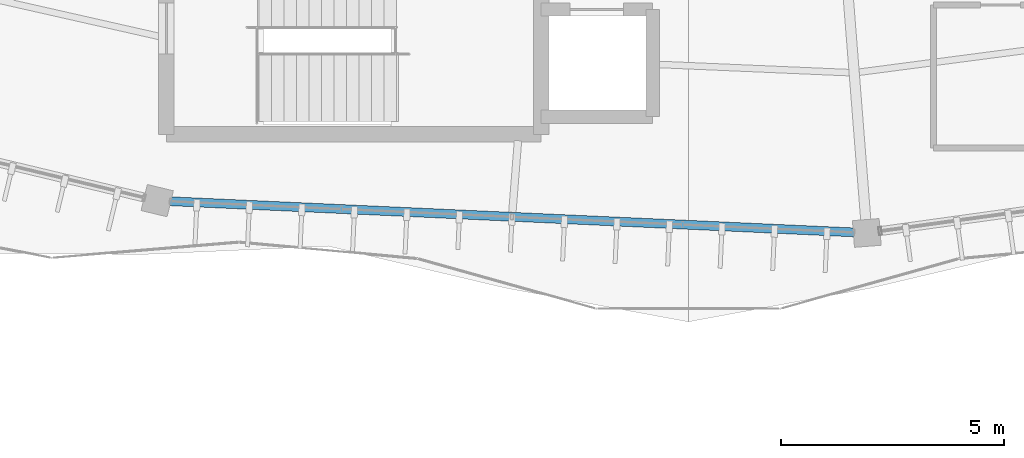
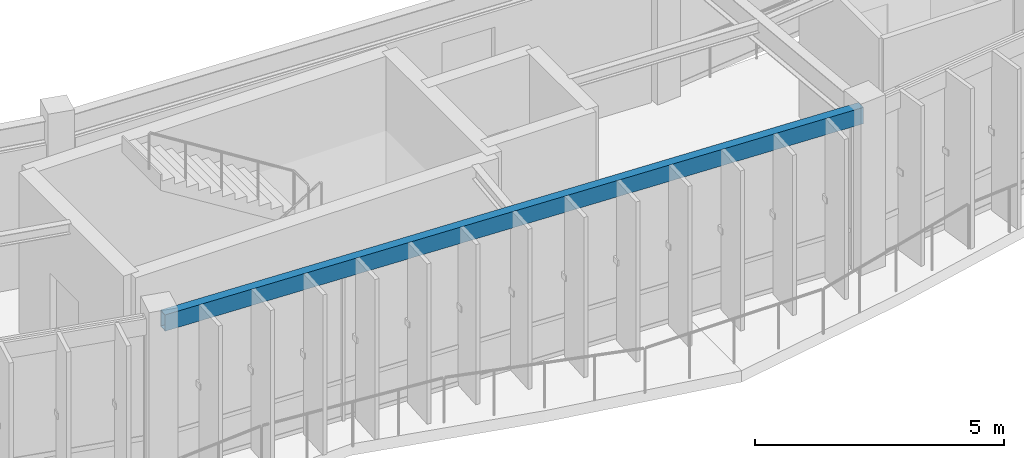
# One storey, part 9 of 83: 1 beam.
"""IFC4 building model written with IfcOpenShell, lengths in metres."""

import ifcopenshell
import ifcopenshell.guid

model = None  # the IFC model being written
_history = None  # IfcOwnerHistory: only IFC2X3 demands one
_inside = {}  # id of a spatial element -> (the spatial element, [elements in it])
_under = {}  # id of a project, library or spatial element -> (it, [spatial elements below it])
_declared = {}  # id of a project -> (the project, [libraries it declares])
_typed = {}  # id of a type object -> (the type object, [elements of that type])
_made_of = {}  # id of a material, layer set ... -> (it, [elements and type objects made of it])


def new_model(schema):
    """Start an empty IFC model of exactly this schema.

    Asked for "IFC4X3", IfcOpenShell would pick the latest addendum, in which some entities
    have other attributes; the version numbers below select the first issue.
    IFC2X3 requires an IfcOwnerHistory on every rooted entity: one is made here for all.
    """
    global model, _history
    if schema == "IFC4X3":
        model = ifcopenshell.file(schema_version=(4, 3, 0, 0))
    else:
        model = ifcopenshell.file(schema=schema)
    _inside.clear()
    _under.clear()
    _declared.clear()
    _typed.clear()
    _made_of.clear()
    _history = None
    if model.schema == "IFC2X3":
        org = make("IfcOrganization", Name="unknown")
        user = make(
            "IfcPersonAndOrganization",
            ThePerson=make("IfcPerson", FamilyName="unknown"),
            TheOrganization=org,
        )
        app = make(
            "IfcApplication",
            ApplicationDeveloper=org,
            Version="unknown",
            ApplicationFullName="unknown",
            ApplicationIdentifier="unknown",
        )
        _history = make(
            "IfcOwnerHistory",
            OwningUser=user,
            OwningApplication=app,
            ChangeAction="ADDED",
            CreationDate=0,
        )
    return model


def make(cls, **values):
    """One entity of the class cls with the attributes given. An attribute that is None is left unset."""
    return model.create_entity(
        cls, **{name: value for name, value in values.items() if value is not None}
    )


def rooted(cls, **values):
    """An entity with a GlobalId (a new one), such as an element, a storey or a relation."""
    return make(cls, GlobalId=ifcopenshell.guid.new(), OwnerHistory=_history, **values)


def si_unit(unit_type, name, prefix=None):
    """IfcSIUnit, for example si_unit("LENGTHUNIT", "METRE", prefix="MILLI")."""
    return make("IfcSIUnit", UnitType=unit_type, Prefix=prefix, Name=name)


def assignment(units):
    """IfcUnitAssignment: the units of a project."""
    return None if units is None else make("IfcUnitAssignment", Units=units)


def point(xyz):
    """IfcCartesianPoint."""
    return None if xyz is None else make("IfcCartesianPoint", Coordinates=xyz)


def direction(xyz):
    """IfcDirection."""
    return None if xyz is None else make("IfcDirection", DirectionRatios=xyz)


def frame(location, z_axis=None, x_axis=None):
    """IfcAxis2Placement3D, a coordinate frame: its origin and axes. An axis left out is left unset."""
    return make(
        "IfcAxis2Placement3D",
        Location=point(location),
        Axis=direction(z_axis),
        RefDirection=direction(x_axis),
    )


def frame_2d(location, x_axis=None):
    """IfcAxis2Placement2D, a coordinate frame in the plane: its origin and x axis."""
    return make(
        "IfcAxis2Placement2D", Location=point(location), RefDirection=direction(x_axis)
    )


def origin():
    """The frame at (0, 0, 0) with its axes left unset."""
    return frame((0.0, 0.0, 0.0))


def origin_2d():
    """The frame at (0, 0) in the plane with its x axis left unset."""
    return frame_2d((0.0, 0.0))


def place(relative_to, where):
    """IfcLocalPlacement: puts the frame where relative to a parent placement (None: the world)."""
    return make(
        "IfcLocalPlacement", PlacementRelTo=relative_to, RelativePlacement=where
    )


def context(
    kind, dimensions, precision=None, world=None, true_north=None, identifier=None
):
    """IfcGeometricRepresentationContext, for example the 3D "Model" context."""
    return make(
        "IfcGeometricRepresentationContext",
        ContextIdentifier=identifier,
        ContextType=kind,
        CoordinateSpaceDimension=dimensions,
        Precision=precision,
        WorldCoordinateSystem=world,
        TrueNorth=true_north,
    )


def subcontext(parent, identifier, kind, view, scale=None):
    """IfcGeometricRepresentationSubContext, for example "Body" below "Model"."""
    return make(
        "IfcGeometricRepresentationSubContext",
        ContextIdentifier=identifier,
        ContextType=kind,
        ParentContext=parent,
        TargetScale=scale,
        TargetView=view,
    )


def project(units=None, contexts=None):
    """IfcProject with its units and contexts."""
    return rooted(
        "IfcProject",
        Name="project",
        RepresentationContexts=contexts,
        UnitsInContext=assignment(units),
    )


def spatial(cls, under=None, at=None, **own):
    """A site, building, storey or space (cls), placed at a placement, below another one or the project."""
    s = rooted(cls, ObjectPlacement=at, **own)
    if under is not None:
        _under.setdefault(under.id(), (under, []))[1].append(s)
    return s


def profile(cls, at=None, kind="AREA", **sizes):
    """A parametric profile (cls). Its sizes go by their IFC names, for example OverallWidth=200.0."""
    return make(cls, ProfileType=kind, Position=at, **sizes)


def hollow_rectangle(**sizes):
    """IfcRectangleHollowProfileDef."""
    return profile("IfcRectangleHollowProfileDef", **sizes)


def extrude(swept, where, along, depth):
    """IfcExtrudedAreaSolid: the profile swept, set in the frame where, extruded along a direction by depth."""
    return make(
        "IfcExtrudedAreaSolid",
        SweptArea=swept,
        Position=where,
        ExtrudedDirection=direction(along),
        Depth=depth,
    )


def shape(context_of_items, identifier, shape_type, items):
    """IfcShapeRepresentation: the items that make up one representation, for example the "Body"."""
    return make(
        "IfcShapeRepresentation",
        ContextOfItems=context_of_items,
        RepresentationIdentifier=identifier,
        RepresentationType=shape_type,
        Items=items,
    )


def material(Name=None, Category=None):
    """IfcMaterial."""
    return make("IfcMaterial", Name=Name, Category=Category)


def material_profile(
    of_material, cross_section, Name=None, Category=None, Priority=None
):
    """IfcMaterialProfile: a cross section and its material."""
    return make(
        "IfcMaterialProfile",
        Name=Name,
        Material=of_material,
        Profile=cross_section,
        Priority=Priority,
        Category=Category,
    )


def profile_set(profiles, Name=None, composite=None):
    """IfcMaterialProfileSet."""
    return make(
        "IfcMaterialProfileSet",
        Name=Name,
        MaterialProfiles=profiles,
        CompositeProfile=composite,
    )


def made_of(thing, what):
    """Note that an element or type object is made of a material, layer set ...; save() writes the relation."""
    if what is not None:
        _made_of.setdefault(what.id(), (what, []))[1].append(thing)
    return thing


def type_object(cls, material=None, **own):
    """A type object (cls), such as IfcWallType, which elements share."""
    return made_of(rooted(cls, **own), material)


def element(
    cls,
    number,
    at=None,
    inside=None,
    cuts=None,
    type_object=None,
    material=None,
    context=None,
    identifier="Body",
    shape_type=None,
    held_by="IfcProductDefinitionShape",
    body=None,
    shapes=None,
    **own,
):
    """One element of the class cls, such as IfcWall. Its Tag is "e" and its number.

    at: its placement. inside: the storey or other place that contains it. cuts: it is an
    opening in that element (IfcRelVoidsElement). A single representation is given by context,
    identifier, shape_type and body (its items); several are given by shapes. held_by: the class
    of the entity that holds the representations. save() writes the other relations.
    """
    e = rooted(cls, Tag="e%d" % number, ObjectPlacement=at, **own)
    if body is not None:
        shapes = [shape(context, identifier, shape_type, body)]
    if shapes is not None:
        e.Representation = make(held_by, Representations=shapes)
    if inside is not None:
        _inside.setdefault(inside.id(), (inside, []))[1].append(e)
    if cuts is not None:
        rooted(
            "IfcRelVoidsElement", RelatingBuildingElement=cuts, RelatedOpeningElement=e
        )
    if type_object is not None:
        _typed.setdefault(type_object.id(), (type_object, []))[1].append(e)
    return made_of(e, material)


def aggregate(whole, parts):
    """IfcRelAggregates: a whole, such as a stair, and the parts it consists of."""
    return rooted("IfcRelAggregates", RelatingObject=whole, RelatedObjects=parts)


def save(model, path):
    """Write the relations noted so far, then the file.

    IfcRelAggregates (storeys below a building ...), IfcRelContainedInSpatialStructure (elements
    in a storey), IfcRelDefinesByType, IfcRelAssociatesMaterial and IfcRelDeclares: one each for
    every whole, place, type object, material and project.
    """
    for whole, parts in _under.values():
        aggregate(whole, parts)
    for where, things in _inside.values():
        rooted(
            "IfcRelContainedInSpatialStructure",
            RelatedElements=things,
            RelatingStructure=where,
        )
    for kind, things in _typed.values():
        rooted("IfcRelDefinesByType", RelatedObjects=things, RelatingType=kind)
    for what, things in _made_of.values():
        rooted("IfcRelAssociatesMaterial", RelatedObjects=things, RelatingMaterial=what)
    for by, libraries in _declared.values():
        rooted("IfcRelDeclares", RelatingContext=by, RelatedDefinitions=libraries)
    model.write(path)


model = new_model("IFC4")

# Units and contexts
model_context = context("Model", 3, precision=1e-05, world=origin(), true_north=direction((0.0, 1.0)))
body_context = subcontext(model_context, "Body", "Model", "MODEL_VIEW")
ifc_project = project(units=[si_unit("LENGTHUNIT", "METRE"), si_unit("AREAUNIT", "SQUARE_METRE"), si_unit("VOLUMEUNIT", "CUBIC_METRE"), si_unit("PLANEANGLEUNIT", "RADIAN"), si_unit("MASSUNIT", "GRAM", prefix="KILO"), si_unit("THERMODYNAMICTEMPERATUREUNIT", "KELVIN"), si_unit("POWERUNIT", "WATT")], contexts=[model_context])

# Site, building, storey
site_placement = place(None, origin())
site = spatial("IfcSite", under=ifc_project, at=site_placement, CompositionType="ELEMENT")
building_placement = place(site_placement, origin())
building = spatial("IfcBuilding", under=site, at=building_placement, Name="Darbajah Civic Hall", CompositionType="ELEMENT")
storey_placement = place(building_placement, frame((0.0, 0.0, 18.0)))
storey = spatial("IfcBuildingStorey", under=building, at=storey_placement, Name="L04", CompositionType="ELEMENT", Elevation=18.0)

# Beam
ifc_material = material(Name="Steel S355JR", Category="steel")
ifc_material_profile = material_profile(ifc_material, hollow_rectangle(XDim=0.199951171875, YDim=0.39990234375, WallThickness=0.013916015625, at=origin_2d()), Name="RHS 400x200x14")
ifc_profile_set = profile_set([ifc_material_profile], Name="Steel S355JR")
beam_type = type_object("IfcBeamType", Name="RHS 400x200x14", PredefinedType="SPANDREL", material=ifc_profile_set)
beam_placement = place(storey_placement, frame((77.274169921875, 61.111572265625, 3.719970703125), z_axis=(0.998964928608, -0.04548704664, 0.0), x_axis=(0.04548704664, 0.998964928608, 0.0)))
element("IfcBeam", 1, at=beam_placement, inside=storey, type_object=beam_type, Name="L04 beam SP-RHS400", PredefinedType="SPANDREL", context=body_context, shape_type="SweptSolid", body=[
    extrude(hollow_rectangle(XDim=0.199951171875, YDim=0.39990234375, WallThickness=0.013916015625, at=origin_2d()), origin(), (0.0, 0.0, 1.0), 15.763671875),
])

save(model, "model.ifc")
